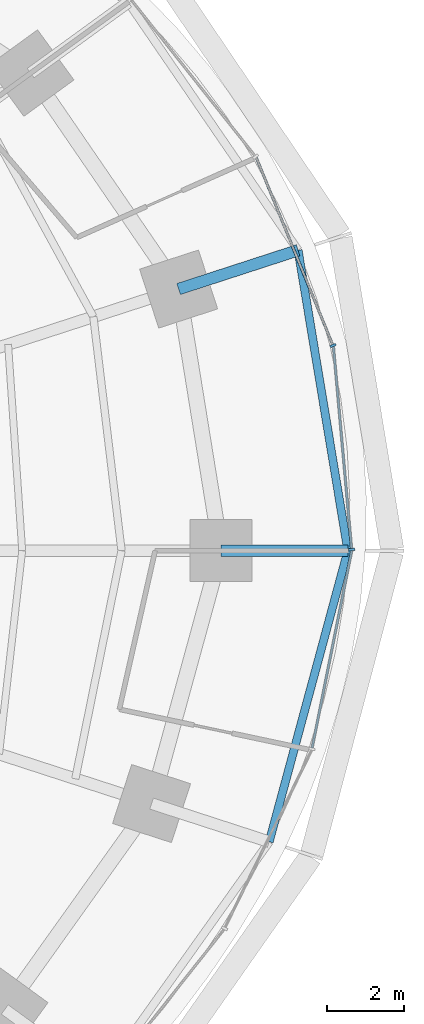
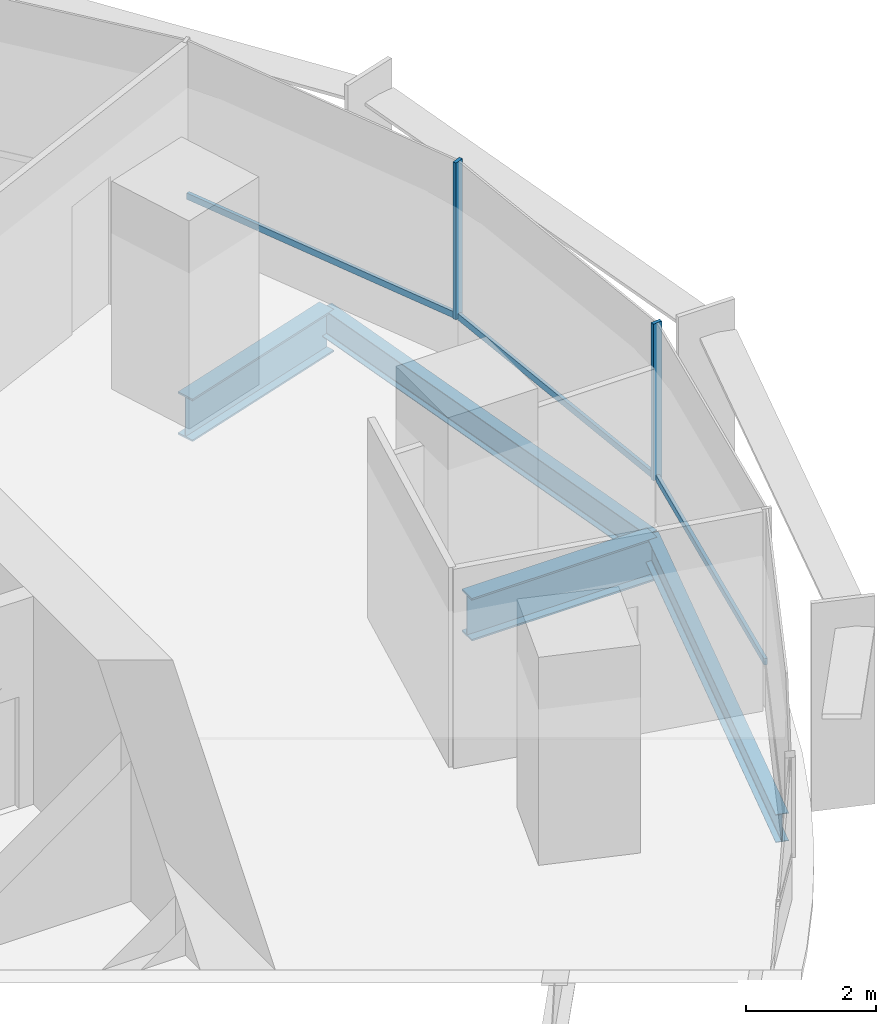
# One storey, part 6 of 14: 5 members, 4 beams, 2 elements without a shape of their own.
"""IFC4 building model written with IfcOpenShell, lengths in metres."""

from ifc_helpers import new_model, si_unit, direction, frame, origin, origin_2d, place, context, subcontext, project, spatial, rectangle, i_section, extrude, material, material_profile, profile_set, type_object, element, aggregate, save


model = new_model("IFC4")

# Units and contexts
model_context = context("Model", 3, precision=1e-05, world=origin(), true_north=direction((0.0, 1.0)))
body_context = subcontext(model_context, "Body", "Model", "MODEL_VIEW")
ifc_project = project(units=[si_unit("LENGTHUNIT", "METRE"), si_unit("AREAUNIT", "SQUARE_METRE"), si_unit("VOLUMEUNIT", "CUBIC_METRE"), si_unit("PLANEANGLEUNIT", "RADIAN"), si_unit("MASSUNIT", "GRAM", prefix="KILO")], contexts=[model_context])

# Site, building, storey
site_placement = place(None, origin())
site = spatial("IfcSite", under=ifc_project, at=site_placement, CompositionType="ELEMENT")
building_placement = place(site_placement, origin())
building = spatial("IfcBuilding", under=site, at=building_placement, Name="Marramba Exchange Tower", CompositionType="ELEMENT")
storey_placement = place(building_placement, frame((0.0, 0.0, 147.0)))
storey = spatial("IfcBuildingStorey", under=building, at=storey_placement, Name="L35", CompositionType="ELEMENT", Elevation=147.0)

# Beams
ifc_material_1 = material(Name="Steel AS/NZS 3679.2 grade 300", Category="steel")
ifc_material_profile_1 = material_profile(ifc_material_1, i_section(OverallWidth=0.300048828125, OverallDepth=0.800048828125, WebThickness=0.013916015625, FlangeThickness=0.031982421875, at=origin_2d()), Name="800WB192")
ifc_profile_set_1 = profile_set([ifc_material_profile_1], Name="Steel AS/NZS 3679.2 grade 300")
beam_type_1 = type_object("IfcBeamType", Name="Cantilever girder 800WB192", PredefinedType="BEAM", material=ifc_profile_set_1)
beam_1_placement = place(storey_placement, frame((21.89990234375, 0.0, -0.56005859375), z_axis=(1.0, 0.0, 0.0), x_axis=(0.0, 1.0, 0.0)))
element("IfcBeam", 1, at=beam_1_placement, inside=storey, type_object=beam_type_1, Name="Cantilever girder L35 TC01", PredefinedType="BEAM", context=body_context, shape_type="SweptSolid", body=[
    extrude(i_section(OverallWidth=0.300048828125, OverallDepth=0.800048828125, WebThickness=0.013916015625, FlangeThickness=0.031982421875, at=origin_2d()), origin(), (0.0, 0.0, 1.0), 3.281982421875),
])
beam_2_placement = place(storey_placement, frame((20.808349609375, 6.760986328125, -0.56005859375), z_axis=(0.95105562578, 0.309019735087, 0.0), x_axis=(-0.309019735087, 0.95105562578, 0.0)))
element("IfcBeam", 2, at=beam_2_placement, inside=storey, type_object=beam_type_1, Name="Cantilever girder L35 TC02", PredefinedType="BEAM", context=body_context, shape_type="SweptSolid", body=[
    extrude(i_section(OverallWidth=0.300048828125, OverallDepth=0.800048828125, WebThickness=0.013916015625, FlangeThickness=0.031982421875, at=origin_2d()), origin(), (0.0, 0.0, 1.0), 3.24560546875),
])

# Curtain wall, members
ifc_material_2 = material(Name="Aluminium framing, bronze anodised", Category="aluminium")
curtain_wall_type = type_object("IfcCurtainWallType", Name="Office ribbon curtain wall", PredefinedType="USERDEFINED", material=ifc_material_2)
curtain_wall_1_placement = place(storey_placement, origin())
curtain_wall_1 = element("IfcCurtainWall", 3, at=curtain_wall_1_placement, inside=storey, type_object=curtain_wall_type, Name="Curtain wall CW4 L35 F01-F05", ObjectType="RIBBON CURTAIN WALL", PredefinedType="USERDEFINED")
ifc_material_3 = material(Name="Aluminium mullion, bronze anodised", Category="aluminium")
ifc_material_profile_2 = material_profile(ifc_material_3, rectangle(XDim=0.159912109375, YDim=0.06005859375, at=origin_2d()), Name="CW4 mullion 60x160")
ifc_profile_set_2 = profile_set([ifc_material_profile_2], Name="Aluminium mullion, bronze anodised")
member_type_1 = type_object("IfcMemberType", Name="Office ribbon curtain wall mullion", PredefinedType="MULLION", material=ifc_profile_set_2)
member_1_placement = place(storey_placement, frame((25.279296875, 0.02978515625, 0.800048828125), z_axis=(0.0, 0.0, 1.0), x_axis=(-0.995994646311, -0.089412887889, 0.0)))
member_1 = element("IfcMember", 4, at=member_1_placement, type_object=member_type_1, Name="CW4 mullion 1", PredefinedType="MULLION", context=body_context, shape_type="SweptSolid", body=[
    extrude(rectangle(XDim=0.159912109375, YDim=0.06005859375, at=origin_2d()), origin(), (0.0, 0.0, 1.0), 2.93994140625),
])
member_2_placement = place(storey_placement, frame((24.79736328125, 5.301025390625, 0.800048828125), z_axis=(0.0, 0.0, 1.0), x_axis=(-0.925878584668, -0.377821183171, 0.0)))
member_2 = element("IfcMember", 5, at=member_2_placement, type_object=member_type_1, Name="CW4 mullion 1", PredefinedType="MULLION", context=body_context, shape_type="SweptSolid", body=[
    extrude(rectangle(XDim=0.159912109375, YDim=0.06005859375, at=origin_2d()), origin(), (0.0, 0.0, 1.0), 2.93994140625),
])
ifc_material_4 = material(Name="Aluminium transom, bronze anodised", Category="aluminium")
ifc_material_profile_3 = material_profile(ifc_material_4, rectangle(XDim=0.06005859375, YDim=0.1201171875, at=origin_2d()), Name="CW4 transom 60x120")
ifc_profile_set_3 = profile_set([ifc_material_profile_3], Name="Aluminium transom, bronze anodised")
member_type_2 = type_object("IfcMemberType", Name="Office ribbon curtain wall transom", PredefinedType="USERDEFINED", material=ifc_profile_set_3)
member_3_placement = place(storey_placement, frame((25.276611328125, 0.059814453125, 0.830078125), z_axis=(-0.089412838135, 0.995994650777, 0.0), x_axis=(-0.995994650777, -0.089412838135, 0.0)))
member_3 = element("IfcMember", 6, at=member_3_placement, type_object=member_type_2, Name="CW4 sill transom", ObjectType="TRANSOM", PredefinedType="USERDEFINED", context=body_context, shape_type="SweptSolid", body=[
    extrude(rectangle(XDim=0.06005859375, YDim=0.1201171875, at=origin_2d()), origin(), (0.0, 0.0, 1.0), 5.234375),
])
member_4_placement = place(storey_placement, frame((24.785888671875, 5.328857421875, 0.830078125), z_axis=(-0.377838039034, 0.925871706155, 0.0), x_axis=(-0.925871706155, -0.377838039034, 0.0)))
member_4 = element("IfcMember", 7, at=member_4_placement, type_object=member_type_2, Name="CW4 sill transom", ObjectType="TRANSOM", PredefinedType="USERDEFINED", context=body_context, shape_type="SweptSolid", body=[
    extrude(rectangle(XDim=0.06005859375, YDim=0.1201171875, at=origin_2d()), origin(), (0.0, 0.0, 1.0), 5.2158203125),
])
aggregate(curtain_wall_1, [member_1, member_3, member_2, member_4])

# Curtain wall, member
curtain_wall_2_placement = place(storey_placement, origin())
curtain_wall_2 = element("IfcCurtainWall", 8, at=curtain_wall_2_placement, inside=storey, type_object=curtain_wall_type, Name="Curtain wall CW4 L35 F26-F30", ObjectType="RIBBON CURTAIN WALL", PredefinedType="USERDEFINED")
member_5_placement = place(storey_placement, frame((24.258056640625, -5.094970703125, 0.830078125), z_axis=(0.197028520451, 0.980397757101, 0.0), x_axis=(-0.980397757101, 0.197028520451, 0.0)))
member_5 = element("IfcMember", 9, at=member_5_placement, type_object=member_type_2, Name="CW4 sill transom", ObjectType="TRANSOM", PredefinedType="USERDEFINED", context=body_context, shape_type="SweptSolid", body=[
    extrude(rectangle(XDim=0.06005859375, YDim=0.1201171875, at=origin_2d()), origin(), (0.0, 0.0, 1.0), 5.19677734375),
])
aggregate(curtain_wall_2, [member_5])

# Beams
ifc_material_5 = material(Name="Steel AS/NZS 3679.1 grade 300", Category="steel")
ifc_material_profile_4 = material_profile(ifc_material_5, i_section(OverallWidth=0.208984375, OverallDepth=0.528076171875, WebThickness=0.009521484375, FlangeThickness=0.01318359375, FilletRadius=0.013916015625, at=origin_2d()), Name="530UB82.0")
ifc_profile_set_4 = profile_set([ifc_material_profile_4], Name="Steel AS/NZS 3679.1 grade 300")
beam_type_2 = type_object("IfcBeamType", Name="Slab edge beam 530UB82.0", PredefinedType="SPANDREL", material=ifc_profile_set_4)
beam_3_placement = place(storey_placement, frame((25.181884765625, 0.0, -0.424072265625), z_axis=(-0.163518559175, 0.986540258076, 0.0), x_axis=(-0.986540258076, -0.163518559175, 0.0)))
element("IfcBeam", 10, at=beam_3_placement, inside=storey, type_object=beam_type_2, Name="Slab edge beam L35 TC01-TC02", PredefinedType="SPANDREL", context=body_context, shape_type="SweptSolid", body=[
    extrude(i_section(OverallWidth=0.208984375, OverallDepth=0.528076171875, WebThickness=0.009521484375, FlangeThickness=0.01318359375, FilletRadius=0.013916015625, at=origin_2d()), origin(), (0.0, 0.0, 1.0), 7.869873046875),
])
beam_4_placement = place(storey_placement, frame((23.148681640625, -7.521484375, -0.424072265625), z_axis=(0.260953221575, 0.965351446961, 0.0), x_axis=(-0.965351446961, 0.260953221575, 0.0)))
element("IfcBeam", 11, at=beam_4_placement, inside=storey, type_object=beam_type_2, Name="Slab edge beam L35 TC20-TC01", PredefinedType="SPANDREL", context=body_context, shape_type="SweptSolid", body=[
    extrude(i_section(OverallWidth=0.208984375, OverallDepth=0.528076171875, WebThickness=0.009521484375, FlangeThickness=0.01318359375, FilletRadius=0.013916015625, at=origin_2d()), origin(), (0.0, 0.0, 1.0), 7.79150390625),
])

save(model, "model.ifc")
